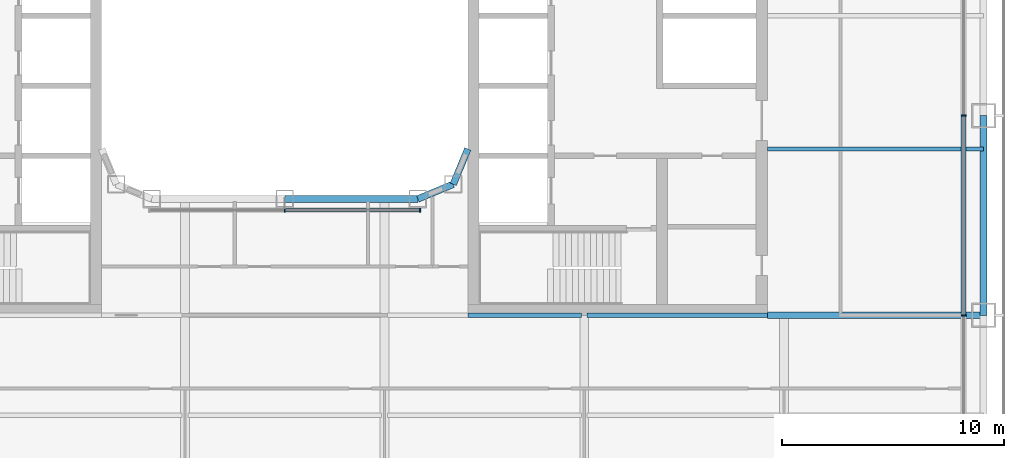
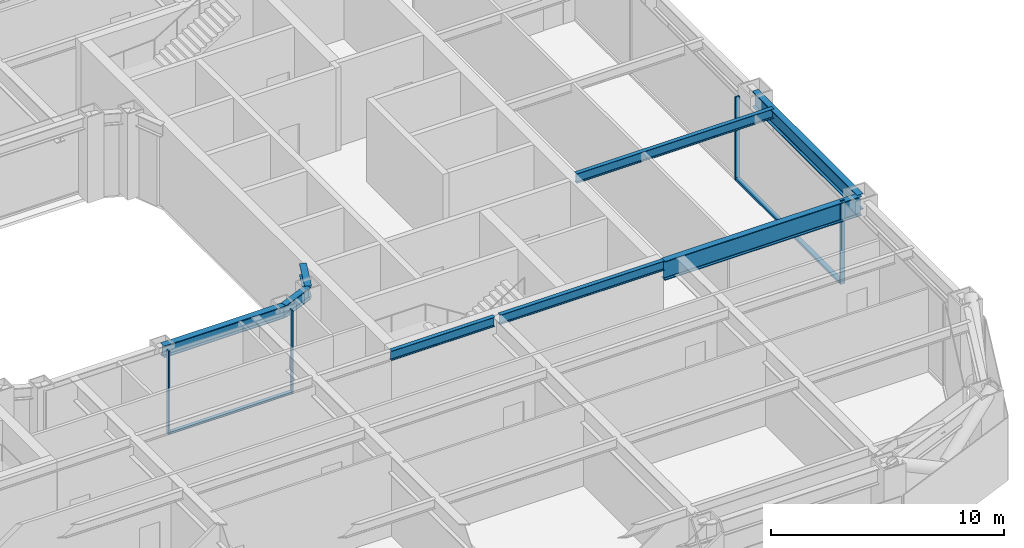
# One storey, part 5 of 24: 8 beams, 6 members, 2 elements without a shape of their own.
"""IFC4 building model written with IfcOpenShell, lengths in metres."""

import ifcopenshell
import ifcopenshell.guid

model = None  # the IFC model being written
_history = None  # IfcOwnerHistory: only IFC2X3 demands one
_inside = {}  # id of a spatial element -> (the spatial element, [elements in it])
_under = {}  # id of a project, library or spatial element -> (it, [spatial elements below it])
_declared = {}  # id of a project -> (the project, [libraries it declares])
_typed = {}  # id of a type object -> (the type object, [elements of that type])
_made_of = {}  # id of a material, layer set ... -> (it, [elements and type objects made of it])


def new_model(schema):
    """Start an empty IFC model of exactly this schema.

    Asked for "IFC4X3", IfcOpenShell would pick the latest addendum, in which some entities
    have other attributes; the version numbers below select the first issue.
    IFC2X3 requires an IfcOwnerHistory on every rooted entity: one is made here for all.
    """
    global model, _history
    if schema == "IFC4X3":
        model = ifcopenshell.file(schema_version=(4, 3, 0, 0))
    else:
        model = ifcopenshell.file(schema=schema)
    _inside.clear()
    _under.clear()
    _declared.clear()
    _typed.clear()
    _made_of.clear()
    _history = None
    if model.schema == "IFC2X3":
        org = make("IfcOrganization", Name="unknown")
        user = make(
            "IfcPersonAndOrganization",
            ThePerson=make("IfcPerson", FamilyName="unknown"),
            TheOrganization=org,
        )
        app = make(
            "IfcApplication",
            ApplicationDeveloper=org,
            Version="unknown",
            ApplicationFullName="unknown",
            ApplicationIdentifier="unknown",
        )
        _history = make(
            "IfcOwnerHistory",
            OwningUser=user,
            OwningApplication=app,
            ChangeAction="ADDED",
            CreationDate=0,
        )
    return model


def make(cls, **values):
    """One entity of the class cls with the attributes given. An attribute that is None is left unset."""
    return model.create_entity(
        cls, **{name: value for name, value in values.items() if value is not None}
    )


def rooted(cls, **values):
    """An entity with a GlobalId (a new one), such as an element, a storey or a relation."""
    return make(cls, GlobalId=ifcopenshell.guid.new(), OwnerHistory=_history, **values)


def si_unit(unit_type, name, prefix=None):
    """IfcSIUnit, for example si_unit("LENGTHUNIT", "METRE", prefix="MILLI")."""
    return make("IfcSIUnit", UnitType=unit_type, Prefix=prefix, Name=name)


def assignment(units):
    """IfcUnitAssignment: the units of a project."""
    return None if units is None else make("IfcUnitAssignment", Units=units)


def point(xyz):
    """IfcCartesianPoint."""
    return None if xyz is None else make("IfcCartesianPoint", Coordinates=xyz)


def direction(xyz):
    """IfcDirection."""
    return None if xyz is None else make("IfcDirection", DirectionRatios=xyz)


def frame(location, z_axis=None, x_axis=None):
    """IfcAxis2Placement3D, a coordinate frame: its origin and axes. An axis left out is left unset."""
    return make(
        "IfcAxis2Placement3D",
        Location=point(location),
        Axis=direction(z_axis),
        RefDirection=direction(x_axis),
    )


def frame_2d(location, x_axis=None):
    """IfcAxis2Placement2D, a coordinate frame in the plane: its origin and x axis."""
    return make(
        "IfcAxis2Placement2D", Location=point(location), RefDirection=direction(x_axis)
    )


def origin():
    """The frame at (0, 0, 0) with its axes left unset."""
    return frame((0.0, 0.0, 0.0))


def origin_2d():
    """The frame at (0, 0) in the plane with its x axis left unset."""
    return frame_2d((0.0, 0.0))


def place(relative_to, where):
    """IfcLocalPlacement: puts the frame where relative to a parent placement (None: the world)."""
    return make(
        "IfcLocalPlacement", PlacementRelTo=relative_to, RelativePlacement=where
    )


def context(
    kind, dimensions, precision=None, world=None, true_north=None, identifier=None
):
    """IfcGeometricRepresentationContext, for example the 3D "Model" context."""
    return make(
        "IfcGeometricRepresentationContext",
        ContextIdentifier=identifier,
        ContextType=kind,
        CoordinateSpaceDimension=dimensions,
        Precision=precision,
        WorldCoordinateSystem=world,
        TrueNorth=true_north,
    )


def subcontext(parent, identifier, kind, view, scale=None):
    """IfcGeometricRepresentationSubContext, for example "Body" below "Model"."""
    return make(
        "IfcGeometricRepresentationSubContext",
        ContextIdentifier=identifier,
        ContextType=kind,
        ParentContext=parent,
        TargetScale=scale,
        TargetView=view,
    )


def project(units=None, contexts=None):
    """IfcProject with its units and contexts."""
    return rooted(
        "IfcProject",
        Name="project",
        RepresentationContexts=contexts,
        UnitsInContext=assignment(units),
    )


def spatial(cls, under=None, at=None, **own):
    """A site, building, storey or space (cls), placed at a placement, below another one or the project."""
    s = rooted(cls, ObjectPlacement=at, **own)
    if under is not None:
        _under.setdefault(under.id(), (under, []))[1].append(s)
    return s


def profile(cls, at=None, kind="AREA", **sizes):
    """A parametric profile (cls). Its sizes go by their IFC names, for example OverallWidth=200.0."""
    return make(cls, ProfileType=kind, Position=at, **sizes)


def rectangle(**sizes):
    """IfcRectangleProfileDef."""
    return profile("IfcRectangleProfileDef", **sizes)


def i_section(**sizes):
    """IfcIShapeProfileDef."""
    return profile("IfcIShapeProfileDef", **sizes)


def extrude(swept, where, along, depth):
    """IfcExtrudedAreaSolid: the profile swept, set in the frame where, extruded along a direction by depth."""
    return make(
        "IfcExtrudedAreaSolid",
        SweptArea=swept,
        Position=where,
        ExtrudedDirection=direction(along),
        Depth=depth,
    )


def shape(context_of_items, identifier, shape_type, items):
    """IfcShapeRepresentation: the items that make up one representation, for example the "Body"."""
    return make(
        "IfcShapeRepresentation",
        ContextOfItems=context_of_items,
        RepresentationIdentifier=identifier,
        RepresentationType=shape_type,
        Items=items,
    )


def material(Name=None, Category=None):
    """IfcMaterial."""
    return make("IfcMaterial", Name=Name, Category=Category)


def layer(
    of_material, thickness, ventilated=None, Name=None, Category=None, Priority=None
):
    """IfcMaterialLayer: one layer of a wall or slab, of a material (None: an air gap)."""
    return make(
        "IfcMaterialLayer",
        Material=of_material,
        LayerThickness=thickness,
        IsVentilated=ventilated,
        Name=Name,
        Category=Category,
        Priority=Priority,
    )


def layer_set(layers, Name=None):
    """IfcMaterialLayerSet."""
    return make("IfcMaterialLayerSet", MaterialLayers=layers, LayerSetName=Name)


def material_profile(
    of_material, cross_section, Name=None, Category=None, Priority=None
):
    """IfcMaterialProfile: a cross section and its material."""
    return make(
        "IfcMaterialProfile",
        Name=Name,
        Material=of_material,
        Profile=cross_section,
        Priority=Priority,
        Category=Category,
    )


def profile_set(profiles, Name=None, composite=None):
    """IfcMaterialProfileSet."""
    return make(
        "IfcMaterialProfileSet",
        Name=Name,
        MaterialProfiles=profiles,
        CompositeProfile=composite,
    )


def made_of(thing, what):
    """Note that an element or type object is made of a material, layer set ...; save() writes the relation."""
    if what is not None:
        _made_of.setdefault(what.id(), (what, []))[1].append(thing)
    return thing


def type_object(cls, material=None, **own):
    """A type object (cls), such as IfcWallType, which elements share."""
    return made_of(rooted(cls, **own), material)


def element(
    cls,
    number,
    at=None,
    inside=None,
    cuts=None,
    type_object=None,
    material=None,
    context=None,
    identifier="Body",
    shape_type=None,
    held_by="IfcProductDefinitionShape",
    body=None,
    shapes=None,
    **own,
):
    """One element of the class cls, such as IfcWall. Its Tag is "e" and its number.

    at: its placement. inside: the storey or other place that contains it. cuts: it is an
    opening in that element (IfcRelVoidsElement). A single representation is given by context,
    identifier, shape_type and body (its items); several are given by shapes. held_by: the class
    of the entity that holds the representations. save() writes the other relations.
    """
    e = rooted(cls, Tag="e%d" % number, ObjectPlacement=at, **own)
    if body is not None:
        shapes = [shape(context, identifier, shape_type, body)]
    if shapes is not None:
        e.Representation = make(held_by, Representations=shapes)
    if inside is not None:
        _inside.setdefault(inside.id(), (inside, []))[1].append(e)
    if cuts is not None:
        rooted(
            "IfcRelVoidsElement", RelatingBuildingElement=cuts, RelatedOpeningElement=e
        )
    if type_object is not None:
        _typed.setdefault(type_object.id(), (type_object, []))[1].append(e)
    return made_of(e, material)


def aggregate(whole, parts):
    """IfcRelAggregates: a whole, such as a stair, and the parts it consists of."""
    return rooted("IfcRelAggregates", RelatingObject=whole, RelatedObjects=parts)


def save(model, path):
    """Write the relations noted so far, then the file.

    IfcRelAggregates (storeys below a building ...), IfcRelContainedInSpatialStructure (elements
    in a storey), IfcRelDefinesByType, IfcRelAssociatesMaterial and IfcRelDeclares: one each for
    every whole, place, type object, material and project.
    """
    for whole, parts in _under.values():
        aggregate(whole, parts)
    for where, things in _inside.values():
        rooted(
            "IfcRelContainedInSpatialStructure",
            RelatedElements=things,
            RelatingStructure=where,
        )
    for kind, things in _typed.values():
        rooted("IfcRelDefinesByType", RelatedObjects=things, RelatingType=kind)
    for what, things in _made_of.values():
        rooted("IfcRelAssociatesMaterial", RelatedObjects=things, RelatingMaterial=what)
    for by, libraries in _declared.values():
        rooted("IfcRelDeclares", RelatingContext=by, RelatedDefinitions=libraries)
    model.write(path)


model = new_model("IFC4")

# Units and contexts
model_context = context("Model", 3, precision=1e-05, world=origin(), true_north=direction((0.0, 1.0)))
body_context = subcontext(model_context, "Body", "Model", "MODEL_VIEW")
ifc_project = project(units=[si_unit("LENGTHUNIT", "METRE"), si_unit("AREAUNIT", "SQUARE_METRE"), si_unit("VOLUMEUNIT", "CUBIC_METRE"), si_unit("PLANEANGLEUNIT", "RADIAN"), si_unit("MASSUNIT", "GRAM", prefix="KILO")], contexts=[model_context])

# Site, building, storey
site_placement = place(None, origin())
site = spatial("IfcSite", under=ifc_project, at=site_placement, CompositionType="ELEMENT")
building_placement = place(site_placement, origin())
building = spatial("IfcBuilding", under=site, at=building_placement, Name="Siwar Civic Tower", CompositionType="ELEMENT")
storey_placement = place(building_placement, frame((0.0, 0.0, 40.199951171875)))
storey = spatial("IfcBuildingStorey", under=building, at=storey_placement, Name="L08", CompositionType="ELEMENT", Elevation=40.199951171875)

# Curtain wall, members
ifc_material_1 = material(Name="Aluminium and glass", Category="aluminium")
ifc_layer_1 = layer(ifc_material_1, 0.219970703125)
ifc_layer_set_1 = layer_set([ifc_layer_1], Name="Aluminium and glass")
curtain_wall_type_1 = type_object("IfcCurtainWallType", Name="ENV-CW-A", PredefinedType="NOTDEFINED", material=ifc_layer_set_1)
curtain_wall_1_placement = place(storey_placement, origin())
curtain_wall_1 = element("IfcCurtainWall", 1, at=curtain_wall_1_placement, inside=storey, type_object=curtain_wall_type_1, Name="Curtain wall A E", PredefinedType="NOTDEFINED")
ifc_material_2 = material(Name="Aluminium 6063-T6", Category="aluminium")
ifc_material_profile_1 = material_profile(ifc_material_2, rectangle(XDim=0.219970703125, YDim=0.070068359375, at=origin_2d()), Name="AL 220x70")
ifc_profile_set_1 = profile_set([ifc_material_profile_1], Name="Aluminium 6063-T6")
member_type_1 = type_object("IfcMemberType", Name="ENV-MULLION-A", PredefinedType="MULLION", material=ifc_profile_set_1)
member_1_placement = place(storey_placement, frame((30.60009765625, -13.5, 0.0), z_axis=(0.0, 0.0, 1.0), x_axis=(-1.0, 0.0, 0.0)))
member_1 = element("IfcMember", 2, at=member_1_placement, type_object=member_type_1, Name="Mullion A E 2", PredefinedType="MULLION", context=body_context, shape_type="SweptSolid", body=[
    extrude(rectangle(XDim=0.219970703125, YDim=0.070068359375, at=origin_2d()), origin(), (0.0, 0.0, 1.0), 4.35009765625),
])
member_2_placement = place(storey_placement, frame((30.60009765625, -4.5, 0.0), z_axis=(0.0, 0.0, 1.0), x_axis=(-1.0, 0.0, 0.0)))
member_2 = element("IfcMember", 3, at=member_2_placement, type_object=member_type_1, Name="Mullion A E 3", PredefinedType="MULLION", context=body_context, shape_type="SweptSolid", body=[
    extrude(rectangle(XDim=0.219970703125, YDim=0.070068359375, at=origin_2d()), origin(), (0.0, 0.0, 1.0), 4.35009765625),
])

ifc_material_3 = material(Name="Aluminium and glass", Category="aluminium")
ifc_layer_2 = layer(ifc_material_3, 0.179931640625)
ifc_layer_set_2 = layer_set([ifc_layer_2], Name="Aluminium and glass")
curtain_wall_type_2 = type_object("IfcCurtainWallType", Name="ENV-CW-W", PredefinedType="NOTDEFINED", material=ifc_layer_set_2)
curtain_wall_2_placement = place(storey_placement, origin())
curtain_wall_2 = element("IfcCurtainWall", 4, at=curtain_wall_2_placement, inside=storey, type_object=curtain_wall_type_2, Name="Curtain wall W WS", PredefinedType="NOTDEFINED")
ifc_material_4 = material(Name="Aluminium 6063-T6", Category="aluminium")
ifc_material_profile_2 = material_profile(ifc_material_4, rectangle(XDim=0.179931640625, YDim=0.06005859375, at=origin_2d()), Name="AL 180x60")
ifc_profile_set_2 = profile_set([ifc_material_profile_2], Name="Aluminium 6063-T6")
member_type_2 = type_object("IfcMemberType", Name="ENV-MULLION-W", PredefinedType="MULLION", material=ifc_profile_set_2)
member_3_placement = place(storey_placement, frame((0.0, -8.760009765625, 0.0), z_axis=(0.0, 0.0, 1.0), x_axis=(0.0, 1.0, 0.0)))
member_3 = element("IfcMember", 5, at=member_3_placement, type_object=member_type_2, Name="Mullion W WS 2", PredefinedType="MULLION", context=body_context, shape_type="SweptSolid", body=[
    extrude(rectangle(XDim=0.179931640625, YDim=0.06005859375, at=origin_2d()), origin(), (0.0, 0.0, 1.0), 4.35009765625),
])
member_4_placement = place(storey_placement, frame((6.1015625, -8.760009765625, 0.0), z_axis=(0.0, 0.0, 1.0), x_axis=(0.0, 1.0, 0.0)))
member_4 = element("IfcMember", 6, at=member_4_placement, type_object=member_type_2, Name="Mullion W WS 3", PredefinedType="MULLION", context=body_context, shape_type="SweptSolid", body=[
    extrude(rectangle(XDim=0.179931640625, YDim=0.06005859375, at=origin_2d()), origin(), (0.0, 0.0, 1.0), 4.35009765625),
])

# Member
ifc_material_5 = material(Name="Aluminium 6063-T6", Category="aluminium")
ifc_material_profile_3 = material_profile(ifc_material_5, rectangle(XDim=0.219970703125, YDim=0.1201171875, at=origin_2d()), Name="AL 220x120")
ifc_profile_set_3 = profile_set([ifc_material_profile_3], Name="Aluminium 6063-T6")
member_type_3 = type_object("IfcMemberType", Name="ENV-TRANSOM-A", PredefinedType="USERDEFINED", material=ifc_profile_set_3)
member_5_placement = place(storey_placement, frame((30.60009765625, -13.465087890625, 0.06005859375), z_axis=(0.0, 1.0, 0.0), x_axis=(-1.0, 0.0, 0.0)))
member_5 = element("IfcMember", 7, at=member_5_placement, type_object=member_type_3, Name="Transom A E 2", ObjectType="TRANSOM", PredefinedType="USERDEFINED", context=body_context, shape_type="SweptSolid", body=[
    extrude(rectangle(XDim=0.219970703125, YDim=0.1201171875, at=origin_2d()), origin(), (0.0, 0.0, 1.0), 8.93017578125),
])

aggregate(curtain_wall_1, [member_1, member_2, member_5])

ifc_material_6 = material(Name="Aluminium 6063-T6", Category="aluminium")
ifc_material_profile_4 = material_profile(ifc_material_6, rectangle(XDim=0.179931640625, YDim=0.10009765625, at=origin_2d()), Name="AL 180x100")
ifc_profile_set_4 = profile_set([ifc_material_profile_4], Name="Aluminium 6063-T6")
member_type_4 = type_object("IfcMemberType", Name="ENV-TRANSOM-W", PredefinedType="USERDEFINED", material=ifc_profile_set_4)
member_6_placement = place(storey_placement, frame((0.030029296875, -8.760009765625, 0.050048828125), z_axis=(1.0, 0.0, 0.0), x_axis=(0.0, 1.0, 0.0)))
member_6 = element("IfcMember", 8, at=member_6_placement, type_object=member_type_4, Name="Transom W WS 2", ObjectType="TRANSOM", PredefinedType="USERDEFINED", context=body_context, shape_type="SweptSolid", body=[
    extrude(rectangle(XDim=0.179931640625, YDim=0.10009765625, at=origin_2d()), origin(), (0.0, 0.0, 1.0), 6.04150390625),
])

aggregate(curtain_wall_2, [member_3, member_4, member_6])

# Beams
ifc_material_7 = material(Name="Steel S355", Category="steel")
ifc_material_profile_5 = material_profile(ifc_material_7, i_section(OverallWidth=0.199951171875, OverallDepth=0.5, WebThickness=0.01025390625, FlangeThickness=0.01611328125, FilletRadius=0.02099609375, at=origin_2d()), Name="IPE500")
ifc_profile_set_5 = profile_set([ifc_material_profile_5], Name="Steel S355")
beam_type_1 = type_object("IfcBeamType", Name="STR-FB-IPE500", PredefinedType="JOIST", material=ifc_profile_set_5)
beam_1_placement = place(storey_placement, frame((8.25, -13.5, 4.10009765625), z_axis=(1.0, 0.0, 0.0), x_axis=(0.0, 1.0, 0.0)))
element("IfcBeam", 9, at=beam_1_placement, inside=storey, type_object=beam_type_1, Name="L08/bm/F028", PredefinedType="JOIST", context=body_context, shape_type="SweptSolid", body=[
    extrude(i_section(OverallWidth=0.199951171875, OverallDepth=0.5, WebThickness=0.01025390625, FlangeThickness=0.01611328125, FilletRadius=0.02099609375, at=origin_2d()), origin(), (0.0, 0.0, 1.0), 5.1201171875),
])
beam_2_placement = place(storey_placement, frame((13.6298828125, -13.5, 4.10009765625), z_axis=(1.0, 0.0, 0.0), x_axis=(0.0, 1.0, 0.0)))
element("IfcBeam", 10, at=beam_2_placement, inside=storey, type_object=beam_type_1, Name="L08/bm/F029", PredefinedType="JOIST", context=body_context, shape_type="SweptSolid", body=[
    extrude(i_section(OverallWidth=0.199951171875, OverallDepth=0.5, WebThickness=0.01025390625, FlangeThickness=0.01611328125, FilletRadius=0.02099609375, at=origin_2d()), origin(), (0.0, 0.0, 1.0), 8.1201171875),
])
beam_3_placement = place(storey_placement, frame((21.75, -6.0, 4.10009765625), z_axis=(1.0, 0.0, 0.0), x_axis=(0.0, 1.0, 0.0)))
element("IfcBeam", 11, at=beam_3_placement, inside=storey, type_object=beam_type_1, Name="L08/bm/F032", PredefinedType="JOIST", context=body_context, shape_type="SweptSolid", body=[
    extrude(i_section(OverallWidth=0.199951171875, OverallDepth=0.5, WebThickness=0.01025390625, FlangeThickness=0.01611328125, FilletRadius=0.02099609375, at=origin_2d()), origin(), (0.0, 0.0, 1.0), 9.75),
])
ifc_material_8 = material(Name="Steel S355", Category="steel")
ifc_material_profile_6 = material_profile(ifc_material_8, i_section(OverallWidth=0.300048828125, OverallDepth=1.0, WebThickness=0.01904296875, FlangeThickness=0.035888671875, FilletRadius=0.030029296875, at=origin_2d()), Name="HEB1000")
ifc_profile_set_6 = profile_set([ifc_material_profile_6], Name="Steel S355")
beam_type_2 = type_object("IfcBeamType", Name="STR-PG-HEB1000", PredefinedType="BEAM", material=ifc_profile_set_6)
beam_4_placement = place(storey_placement, frame((21.75, -13.5, 3.85009765625), z_axis=(1.0, 0.0, 0.0), x_axis=(0.0, 1.0, 0.0)))
element("IfcBeam", 12, at=beam_4_placement, inside=storey, type_object=beam_type_2, Name="L08/bm/F030", PredefinedType="BEAM", context=body_context, shape_type="SweptSolid", body=[
    extrude(i_section(OverallWidth=0.300048828125, OverallDepth=1.0, WebThickness=0.01904296875, FlangeThickness=0.035888671875, FilletRadius=0.030029296875, at=origin_2d()), origin(), (0.0, 0.0, 1.0), 9.75),
])
ifc_material_9 = material(Name="Steel S355", Category="steel")
ifc_material_profile_7 = material_profile(ifc_material_9, i_section(OverallWidth=0.304931640625, OverallDepth=0.6201171875, WebThickness=0.02099609375, FlangeThickness=0.0400390625, FilletRadius=0.027099609375, at=origin_2d()), Name="HEM600")
ifc_profile_set_7 = profile_set([ifc_material_profile_7], Name="Steel S355")
beam_type_3 = type_object("IfcBeamType", Name="STR-RB-HEM600", PredefinedType="BEAM", material=ifc_profile_set_7)
beam_5_placement = place(storey_placement, frame((0.0, -8.25, 4.0400390625), z_axis=(1.0, 0.0, 0.0), x_axis=(0.0, 1.0, 0.0)))
element("IfcBeam", 13, at=beam_5_placement, inside=storey, type_object=beam_type_3, Name="L08/bm/RS2", PredefinedType="BEAM", context=body_context, shape_type="SweptSolid", body=[
    extrude(i_section(OverallWidth=0.304931640625, OverallDepth=0.6201171875, WebThickness=0.02099609375, FlangeThickness=0.0400390625, FilletRadius=0.027099609375, at=origin_2d()), origin(), (0.0, 0.0, 1.0), 6.0),
])
for number, where, z_axis, x_axis, name in (
    (14, (6.0, -8.25, 4.0400390625), (0.923901072997, 0.382631424892, 0.0), (-0.382631424892, 0.923901072997, 0.0), "L08/bm/RS3"),
    (15, (7.591064453125, -7.591064453125, 4.0400390625), (0.382631424892, 0.923901072997, 0.0), (-0.923901072997, 0.382631424892, 0.0), "L08/bm/RSEE"),
):
    element("IfcBeam", number, at=place(storey_placement, frame(where, z_axis=z_axis, x_axis=x_axis)), inside=storey, type_object=beam_type_3, Name=name, PredefinedType="BEAM", context=body_context, shape_type="SweptSolid", body=[
        extrude(i_section(OverallWidth=0.304931640625, OverallDepth=0.6201171875, WebThickness=0.02099609375, FlangeThickness=0.0400390625, FilletRadius=0.027099609375, at=origin_2d()), origin(), (0.0, 0.0, 1.0), 1.72216796875),
    ])
ifc_material_10 = material(Name="Steel S355", Category="steel")
ifc_material_profile_8 = material_profile(ifc_material_10, i_section(OverallWidth=0.302978515625, OverallDepth=0.81396484375, WebThickness=0.02099609375, FlangeThickness=0.0400390625, FilletRadius=0.030029296875, at=origin_2d()), Name="HEM800")
ifc_profile_set_8 = profile_set([ifc_material_profile_8], Name="Steel S355")
beam_type_4 = type_object("IfcBeamType", Name="STR-SB-HEM800", PredefinedType="BEAM", material=ifc_profile_set_8)
beam_6_placement = place(storey_placement, frame((31.5, -13.5, 3.943115234375), z_axis=(0.0, 1.0, 0.0), x_axis=(-1.0, 0.0, 0.0)))
element("IfcBeam", 16, at=beam_6_placement, inside=storey, type_object=beam_type_4, Name="L08/bm/SE-1", PredefinedType="BEAM", context=body_context, shape_type="SweptSolid", body=[
    extrude(i_section(OverallWidth=0.302978515625, OverallDepth=0.81396484375, WebThickness=0.02099609375, FlangeThickness=0.0400390625, FilletRadius=0.030029296875, at=origin_2d()), origin(), (0.0, 0.0, 1.0), 9.0),
])

save(model, "model.ifc")
